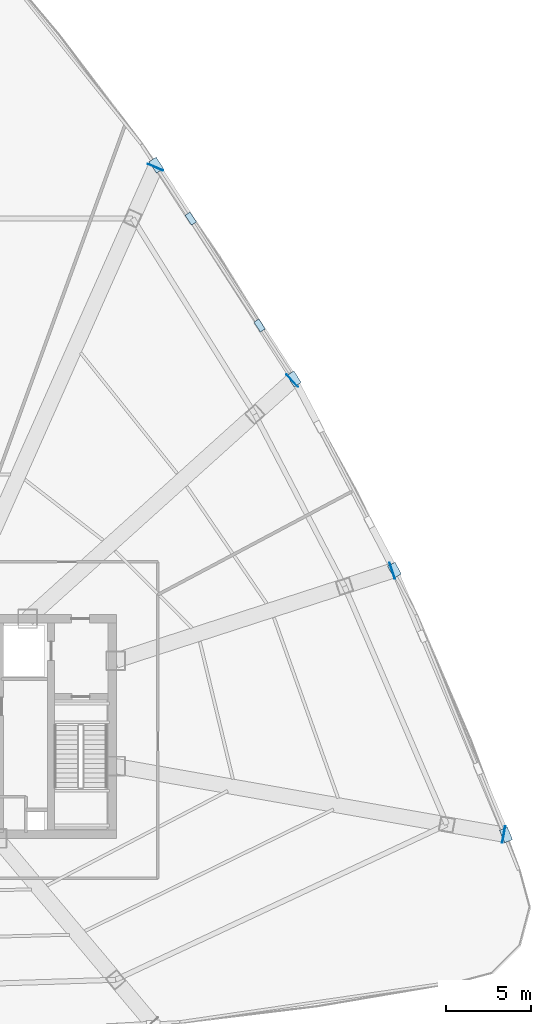
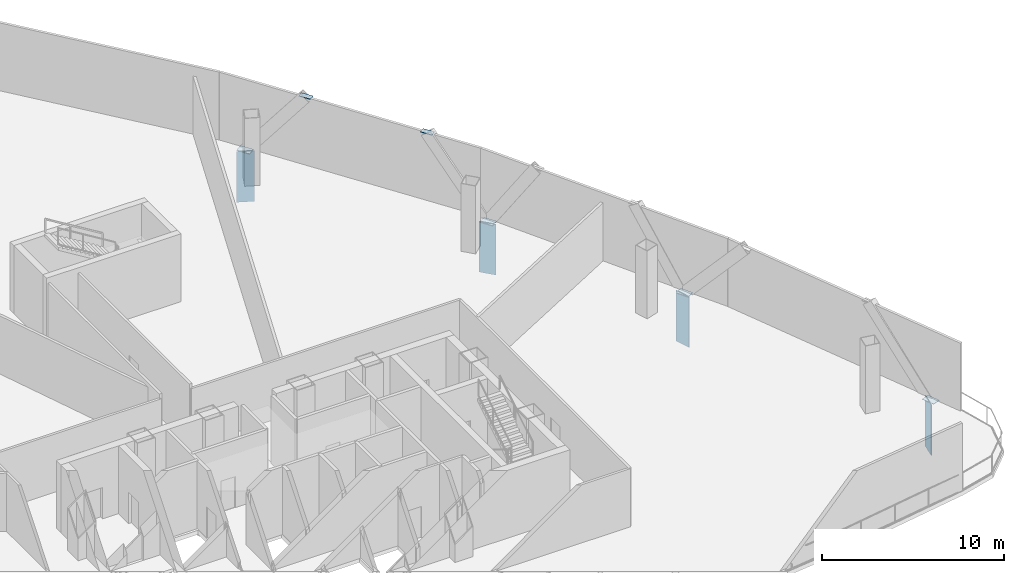
# One storey, part 6 of 14: 10 plates.
"""IFC4 building model written with IfcOpenShell, lengths in metres."""

from ifc_helpers import new_model, si_unit, direction, frame, origin, origin_2d, place, context, subcontext, project, spatial, rectangle, extrude, source, transform, mapped, material, layer, layer_set, type_object, element, save


model = new_model("IFC4")

# Units and contexts
model_context = context("Model", 3, precision=1e-05, world=origin(), true_north=direction((0.0, 1.0)))
body_context = subcontext(model_context, "Body", "Model", "MODEL_VIEW")
ifc_project = project(units=[si_unit("LENGTHUNIT", "METRE"), si_unit("AREAUNIT", "SQUARE_METRE"), si_unit("VOLUMEUNIT", "CUBIC_METRE"), si_unit("PLANEANGLEUNIT", "RADIAN"), si_unit("MASSUNIT", "GRAM", prefix="KILO"), si_unit("THERMODYNAMICTEMPERATUREUNIT", "KELVIN"), si_unit("POWERUNIT", "WATT")], contexts=[model_context])

# Site, building, storey
site_placement = place(None, origin())
site = spatial("IfcSite", under=ifc_project, at=site_placement, CompositionType="ELEMENT")
building_placement = place(site_placement, origin())
building = spatial("IfcBuilding", under=site, at=building_placement, Name="Yunzhuo Pagoda Commons", CompositionType="ELEMENT")
storey_placement = place(building_placement, frame((0.0, 0.0, 224.81005859375)))
storey = spatial("IfcBuildingStorey", under=building, at=storey_placement, Name="L56", CompositionType="ELEMENT", Elevation=224.81005859375)

# Plates
ifc_material_1 = material(Name="Structural steel Q420B", Category="steel")
ifc_layer_1 = layer(ifc_material_1, 0.0400390625)
ifc_layer_set_1 = layer_set([ifc_layer_1], Name="Structural steel Q420B")
plate_type_1 = type_object("IfcPlateType", Name="EP-TR2 Transfer Girder End Cap Plate 980x3540x40", PredefinedType="USERDEFINED", material=ifc_layer_set_1)
shared_shape_1 = source(origin(), body_context, "Body", "SweptSolid", [
    extrude(rectangle(XDim=0.97998046875, YDim=0.0400390625, at=origin_2d()), origin(), (0.0, 0.0, 1.0), 3.389892578125),
])
for number, where, z_axis, x_axis, name in (
    (1, (83.28759765625, 27.477783203125, -3.64990234375), (0.0, 0.0, 1.0), (0.173648177667, 0.984807753012, 0.0), "L56 transfer girder end cap plate F2C1"),
    (2, (76.714111328125, 43.02978515625, -3.64990234375), (0.0, 0.0, 1.0), (-0.309016994375, 0.951056516295, 0.0), "L56 transfer girder end cap plate F2C2"),
    (3, (70.819580078125, 54.246826171875, -3.64990234375), (0.0, 0.0, 1.0), (-0.669130606359, 0.743144825477, 0.0), "L56 transfer girder end cap plate F2C3"),
    (4, (62.747314453125, 66.822998046875, -3.64990234375), (0.0, 0.0, 1.0), (-0.913545457643, 0.406736643076, 0.0), "L56 transfer girder end cap plate F2C4"),
):
    element("IfcPlate", number, at=place(storey_placement, frame(where, z_axis=z_axis, x_axis=x_axis)), inside=storey, type_object=plate_type_1, Name=name, ObjectType="END_PLATE", PredefinedType="USERDEFINED", context=body_context, shape_type="MappedRepresentation", body=[
        mapped(shared_shape_1, transform((0.0, 0.0, 0.0), scale=1.0)),
    ])
ifc_material_2 = material(Name="Structural steel Q355B", Category="steel")
ifc_layer_2 = layer(ifc_material_2, 0.028076171875)
ifc_layer_set_2 = layer_set([ifc_layer_2], Name="Structural steel Q355B")
plate_type_2 = type_object("IfcPlateType", Name="SP-ND1 Lattice Node Cap Plate 800x500x28", PredefinedType="USERDEFINED", material=ifc_layer_set_2)
shared_shape_2 = source(origin(), body_context, "Body", "SweptSolid", [
    extrude(rectangle(XDim=0.800048828125, YDim=0.5, at=origin_2d()), origin(), (0.0, 0.0, 1.0), 0.028076171875),
])
for number, where, z_axis, x_axis, name in (
    (5, (83.422607421875, 27.4541015625, -0.2939453125), (0.0, 0.0, 1.0), (-0.388175158617, 0.921585615248, 0.0), "L56 diamond node plate F2.1A"),
    (6, (76.84423828125, 43.072021484375, -0.2939453125), (0.0, 0.0, 1.0), (-0.465336470286, 0.885133870904, 0.0), "L56 diamond node plate F2.2A"),
    (7, (70.92138671875, 54.33837890625, -0.2939453125), (0.0, 0.0, 1.0), (-0.541341392357, 0.840802888269, 0.0), "L56 diamond node plate F2.3A"),
    (8, (62.802978515625, 66.947998046875, -0.2939453125), (0.0, 0.0, 1.0), (-0.541341392357, 0.840802888269, 0.0), "L56 diamond node plate F2.3B"),
):
    element("IfcPlate", number, at=place(storey_placement, frame(where, z_axis=z_axis, x_axis=x_axis)), inside=storey, type_object=plate_type_2, Name=name, ObjectType="STIFFENER_PLATE", PredefinedType="USERDEFINED", context=body_context, shape_type="MappedRepresentation", body=[
        mapped(shared_shape_2, transform((0.0, 0.0, 0.0), scale=1.0)),
    ])
shared_shape_3 = source(origin(), body_context, "Body", "SweptSolid", [
    extrude(rectangle(XDim=0.699951171875, YDim=0.35009765625, at=origin_2d()), origin(), (0.0, 0.0, 1.0), 0.035888671875),
])
for number, where, z_axis, x_axis, name in (
    (9, (68.891845703125, 57.490966796875, 4.501953125), (0.0, 0.0, 1.0), (-0.541341392357, 0.840802888269, 0.0), "L56 setback lattice tie plate F2.3L"),
    (10, (64.83251953125, 63.795654296875, 4.501953125), (0.0, 0.0, 1.0), (-0.541341392357, 0.840802888269, 0.0), "L56 setback lattice tie plate F2.3R"),
):
    element("IfcPlate", number, at=place(storey_placement, frame(where, z_axis=z_axis, x_axis=x_axis)), inside=storey, type_object=plate_type_2, Name=name, ObjectType="STIFFENER_PLATE", PredefinedType="USERDEFINED", context=body_context, shape_type="MappedRepresentation", body=[
        mapped(shared_shape_3, transform((0.0, 0.0, 0.0), scale=1.0)),
    ])

save(model, "model.ifc")
